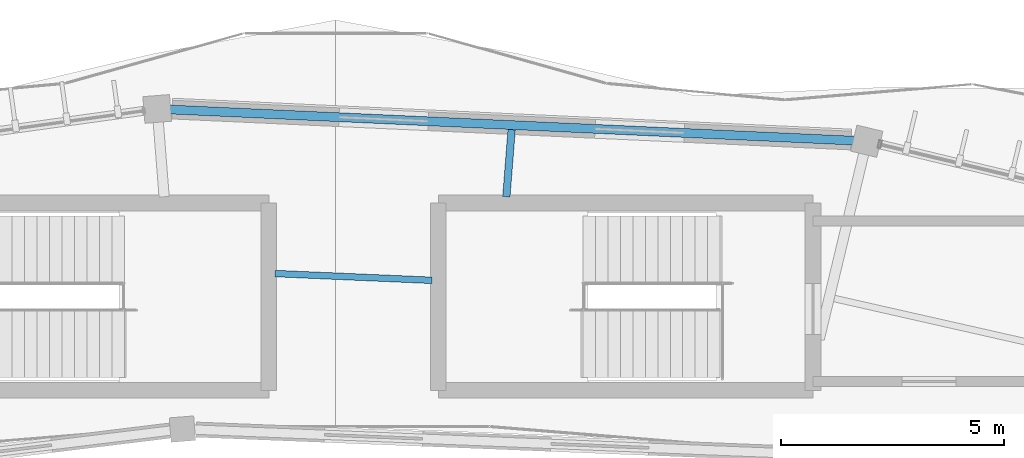
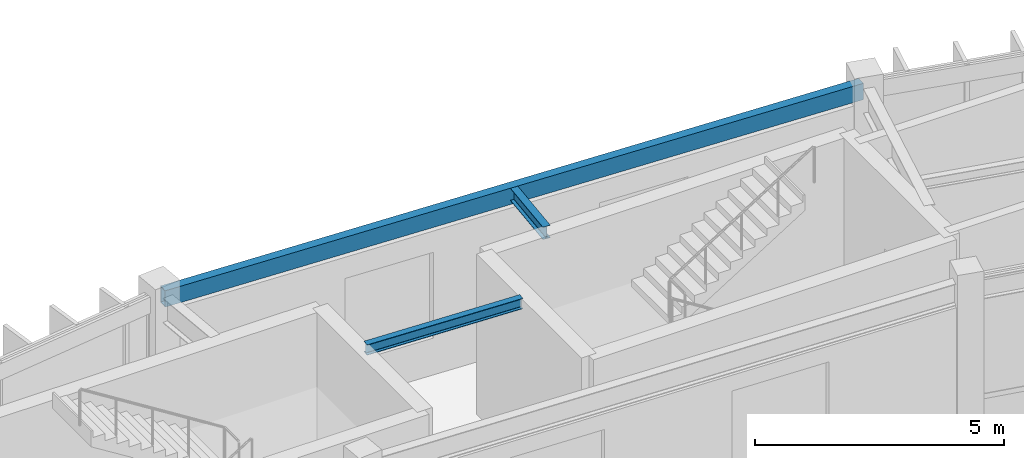
# One storey, part 45 of 83: 3 beams.
"""IFC4 building model written with IfcOpenShell, lengths in metres."""

from ifc_helpers import new_model, si_unit, direction, frame, origin, origin_2d, place, context, subcontext, project, spatial, hollow_rectangle, i_section, extrude, material, material_profile, profile_set, type_object, element, save


model = new_model("IFC4")

# Units and contexts
model_context = context("Model", 3, precision=1e-05, world=origin(), true_north=direction((0.0, 1.0)))
body_context = subcontext(model_context, "Body", "Model", "MODEL_VIEW")
ifc_project = project(units=[si_unit("LENGTHUNIT", "METRE"), si_unit("AREAUNIT", "SQUARE_METRE"), si_unit("VOLUMEUNIT", "CUBIC_METRE"), si_unit("PLANEANGLEUNIT", "RADIAN"), si_unit("MASSUNIT", "GRAM", prefix="KILO"), si_unit("THERMODYNAMICTEMPERATUREUNIT", "KELVIN"), si_unit("POWERUNIT", "WATT")], contexts=[model_context])

# Site, building, storey
site_placement = place(None, origin())
site = spatial("IfcSite", under=ifc_project, at=site_placement, CompositionType="ELEMENT")
building_placement = place(site_placement, origin())
building = spatial("IfcBuilding", under=site, at=building_placement, Name="Darbajah Civic Hall", CompositionType="ELEMENT")
storey_placement = place(building_placement, frame((0.0, 0.0, 18.0)))
storey = spatial("IfcBuildingStorey", under=building, at=storey_placement, Name="L04", CompositionType="ELEMENT", Elevation=18.0)

# Beams
ifc_material = material(Name="Steel S355JR", Category="steel")
ifc_material_profile_1 = material_profile(ifc_material, hollow_rectangle(XDim=0.199951171875, YDim=0.39990234375, WallThickness=0.013916015625, at=origin_2d()), Name="RHS 400x200x14")
ifc_profile_set_1 = profile_set([ifc_material_profile_1], Name="Steel S355JR")
beam_type_1 = type_object("IfcBeamType", Name="RHS 400x200x14", PredefinedType="SPANDREL", material=ifc_profile_set_1)
beam_1_placement = place(storey_placement, frame((100.92578125, 118.488525390625, 3.719970703125), z_axis=(-0.998964928608, 0.04548704664, 0.0), x_axis=(-0.04548704664, -0.998964928608, 0.0)))
element("IfcBeam", 1, at=beam_1_placement, inside=storey, type_object=beam_type_1, Name="L04 beam SP-RHS400", PredefinedType="SPANDREL", context=body_context, shape_type="SweptSolid", body=[
    extrude(hollow_rectangle(XDim=0.199951171875, YDim=0.39990234375, WallThickness=0.013916015625, at=origin_2d()), origin(), (0.0, 0.0, 1.0), 15.763671875),
])
ifc_material_profile_2 = material_profile(ifc_material, i_section(OverallWidth=0.146484375, OverallDepth=0.256103515625, WebThickness=0.00634765625, FlangeThickness=0.010986328125, FilletRadius=0.007568359375, at=origin_2d()), Name="UB 254x146x37")
ifc_profile_set_2 = profile_set([ifc_material_profile_2], Name="Steel S355JR")
beam_type_2 = type_object("IfcBeamType", Name="UB 254x146x37", PredefinedType="JOIST", material=ifc_profile_set_2)
beam_2_placement = place(storey_placement, frame((91.260009765625, 115.3671875, 3.7919921875), z_axis=(-0.999073726109, 0.043031265357, 0.0), x_axis=(-0.043031265357, -0.999073726109, 0.0)))
element("IfcBeam", 2, at=beam_2_placement, inside=storey, type_object=beam_type_2, Name="L04 beam SJ-254", PredefinedType="JOIST", context=body_context, shape_type="SweptSolid", body=[
    extrude(i_section(OverallWidth=0.146484375, OverallDepth=0.256103515625, WebThickness=0.00634765625, FlangeThickness=0.010986328125, FilletRadius=0.007568359375, at=origin_2d()), origin(), (0.0, 0.0, 1.0), 3.523193359375),
])
ifc_material_profile_3 = material_profile(ifc_material, i_section(OverallWidth=0.165771484375, OverallDepth=0.306640625, WebThickness=0.006591796875, FlangeThickness=0.01171875, FilletRadius=0.0087890625, at=origin_2d()), Name="UB 305x165x46")
ifc_profile_set_3 = profile_set([ifc_material_profile_3], Name="Steel S355JR")
beam_type_3 = type_object("IfcBeamType", Name="UB 305x165x46", PredefinedType="JOIST", material=ifc_profile_set_3)
beam_3_placement = place(storey_placement, frame((92.925537109375, 117.239990234375, 3.7666015625), z_axis=(0.078575634668, 0.996908155066, 0.0), x_axis=(-0.996908155066, 0.078575634668, 0.0)))
element("IfcBeam", 3, at=beam_3_placement, inside=storey, type_object=beam_type_3, Name="L04 beam SJ-305", PredefinedType="JOIST", context=body_context, shape_type="SweptSolid", body=[
    extrude(i_section(OverallWidth=0.165771484375, OverallDepth=0.306640625, WebThickness=0.006591796875, FlangeThickness=0.01171875, FilletRadius=0.0087890625, at=origin_2d()), origin(), (0.0, 0.0, 1.0), 1.510009765625),
])

save(model, "model.ifc")
